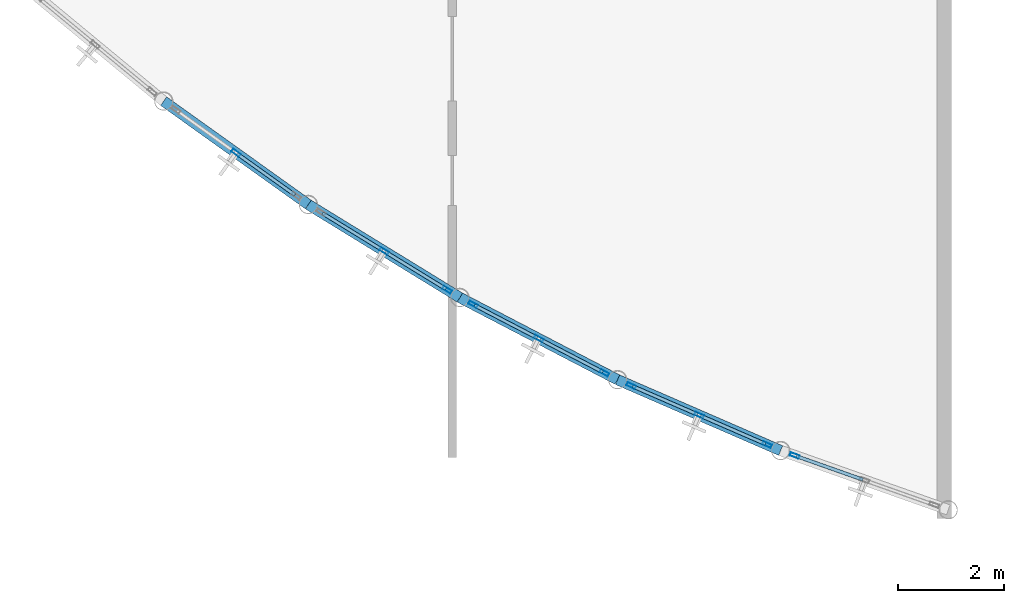
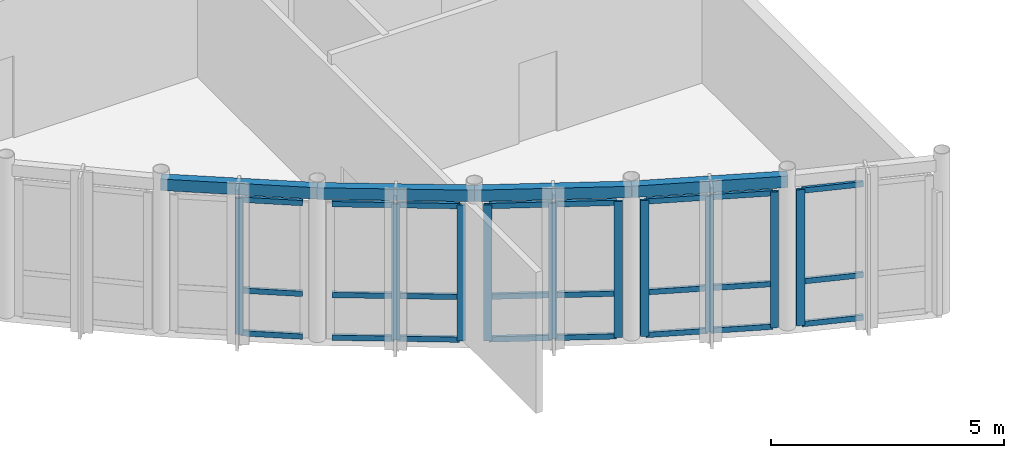
# One storey, part 8 of 32: 34 members, 4 beams, 5 elements without a shape of their own.
"""IFC4 building model written with IfcOpenShell, lengths in metres."""

from ifc_helpers import new_model, si_unit, direction, frame, origin, origin_2d, place, context, subcontext, project, spatial, hollow_rectangle, extrude, material, layer, layer_set, material_profile, profile_set, type_object, element, aggregate, save


model = new_model("IFC4")

# Units and contexts
model_context = context("Model", 3, precision=1e-05, world=origin(), true_north=direction((0.0, 1.0)))
body_context = subcontext(model_context, "Body", "Model", "MODEL_VIEW")
ifc_project = project(units=[si_unit("LENGTHUNIT", "METRE"), si_unit("AREAUNIT", "SQUARE_METRE"), si_unit("VOLUMEUNIT", "CUBIC_METRE"), si_unit("PLANEANGLEUNIT", "RADIAN"), si_unit("MASSUNIT", "GRAM", prefix="KILO")], contexts=[model_context])

# Site, building, storey
site_placement = place(None, origin())
site = spatial("IfcSite", under=ifc_project, at=site_placement, CompositionType="ELEMENT")
building_placement = place(site_placement, origin())
building = spatial("IfcBuilding", under=site, at=building_placement, Name="Selat Folded Stagehouse", CompositionType="ELEMENT")
storey_placement = place(building_placement, frame((0.0, 0.0, 19.199951171875)))
storey = spatial("IfcBuildingStorey", under=building, at=storey_placement, Name="L04", CompositionType="ELEMENT", Elevation=19.199951171875)

# Curtain wall, member
ifc_material_1 = material(Name="Aluminium 6063-T6", Category="aluminium")
ifc_layer = layer(ifc_material_1, 0.18505859375)
ifc_layer_set = layer_set([ifc_layer], Name="Aluminium 6063-T6")
curtain_wall_type = type_object("IfcCurtainWallType", Name="CW-DRM-UPPER", PredefinedType="NOTDEFINED", material=ifc_layer_set)
curtain_wall_1_placement = place(storey_placement, origin())
curtain_wall_1 = element("IfcCurtainWall", 1, at=curtain_wall_1_placement, inside=storey, type_object=curtain_wall_type, Name="L04 curtain wall CW-DRM-L04-15", PredefinedType="NOTDEFINED")
ifc_material_profile_1 = material_profile(ifc_material_1, hollow_rectangle(XDim=0.06494140625, YDim=0.179931640625, WallThickness=0.00390625, at=origin_2d()), Name="ALU 180x65x4.0")
ifc_profile_set_1 = profile_set([ifc_material_profile_1], Name="Aluminium 6063-T6")
member_type_1 = type_object("IfcMemberType", Name="CWM-MUL-180x65", PredefinedType="MULLION", material=ifc_profile_set_1)
member_1_placement = place(storey_placement, frame((20.10400390625, 8.974609375, 0.0), z_axis=(0.0, 0.0, 1.0), x_axis=(-0.581528304836, -0.813526170861, 0.0)))
member_1 = element("IfcMember", 2, at=member_1_placement, type_object=member_type_1, Name="CW-03 mullion 2", PredefinedType="MULLION", context=body_context, shape_type="SweptSolid", body=[
    extrude(hollow_rectangle(XDim=0.06494140625, YDim=0.179931640625, WallThickness=0.00390625, at=origin_2d()), origin(), (0.0, 0.0, 1.0), 3.56005859375),
])

# Curtain wall, members
curtain_wall_2_placement = place(storey_placement, origin())
curtain_wall_2 = element("IfcCurtainWall", 3, at=curtain_wall_2_placement, inside=storey, type_object=curtain_wall_type, Name="L04 curtain wall CW-DRM-L04-16", PredefinedType="NOTDEFINED")
member_2_placement = place(storey_placement, frame((24.10498046875, 6.380859375, 0.0), z_axis=(0.0, 0.0, 1.0), x_axis=(-0.523025427755, -0.852317078277, 0.0)))
member_2 = element("IfcMember", 4, at=member_2_placement, type_object=member_type_1, Name="CW-03 mullion 1", PredefinedType="MULLION", context=body_context, shape_type="SweptSolid", body=[
    extrude(hollow_rectangle(XDim=0.06494140625, YDim=0.179931640625, WallThickness=0.00390625, at=origin_2d()), origin(), (0.0, 0.0, 1.0), 3.56005859375),
])
member_3_placement = place(storey_placement, frame((22.91015625, 7.114013671875, 0.0), z_axis=(0.0, 0.0, 1.0), x_axis=(-0.523025427755, -0.852317078277, 0.0)))
member_3 = element("IfcMember", 5, at=member_3_placement, type_object=member_type_1, Name="CW-03 mullion 2", PredefinedType="MULLION", context=body_context, shape_type="SweptSolid", body=[
    extrude(hollow_rectangle(XDim=0.06494140625, YDim=0.179931640625, WallThickness=0.00390625, at=origin_2d()), origin(), (0.0, 0.0, 1.0), 3.56005859375),
])

curtain_wall_3_placement = place(storey_placement, origin())
curtain_wall_3 = element("IfcCurtainWall", 6, at=curtain_wall_3_placement, inside=storey, type_object=curtain_wall_type, Name="L04 curtain wall CW-DRM-L04-17", PredefinedType="NOTDEFINED")
member_4_placement = place(storey_placement, frame((27.083251953125, 4.80712890625, 0.0), z_axis=(0.0, 0.0, 1.0), x_axis=(-0.461930991659, -0.886915869147, 0.0)))
member_4 = element("IfcMember", 7, at=member_4_placement, type_object=member_type_1, Name="CW-03 mullion 1", PredefinedType="MULLION", context=body_context, shape_type="SweptSolid", body=[
    extrude(hollow_rectangle(XDim=0.06494140625, YDim=0.179931640625, WallThickness=0.00390625, at=origin_2d()), origin(), (0.0, 0.0, 1.0), 3.56005859375),
])
member_5_placement = place(storey_placement, frame((25.83984375, 5.454833984375, 0.0), z_axis=(0.0, 0.0, 1.0), x_axis=(-0.461930991659, -0.886915869147, 0.0)))
member_5 = element("IfcMember", 8, at=member_5_placement, type_object=member_type_1, Name="CW-03 mullion 2", PredefinedType="MULLION", context=body_context, shape_type="SweptSolid", body=[
    extrude(hollow_rectangle(XDim=0.06494140625, YDim=0.179931640625, WallThickness=0.00390625, at=origin_2d()), origin(), (0.0, 0.0, 1.0), 3.56005859375),
])
member_6_placement = place(storey_placement, frame((24.596435546875, 6.1025390625, 0.0), z_axis=(0.0, 0.0, 1.0), x_axis=(-0.461930991659, -0.886915869147, 0.0)))
member_6 = element("IfcMember", 9, at=member_6_placement, type_object=member_type_1, Name="CW-03 mullion 3", PredefinedType="MULLION", context=body_context, shape_type="SweptSolid", body=[
    extrude(hollow_rectangle(XDim=0.06494140625, YDim=0.179931640625, WallThickness=0.00390625, at=origin_2d()), origin(), (0.0, 0.0, 1.0), 3.56005859375),
])

curtain_wall_4_placement = place(storey_placement, origin())
curtain_wall_4 = element("IfcCurtainWall", 10, at=curtain_wall_4_placement, inside=storey, type_object=curtain_wall_type, Name="L04 curtain wall CW-DRM-L04-18", PredefinedType="NOTDEFINED")
member_7_placement = place(storey_placement, frame((30.16455078125, 3.446533203125, 0.0), z_axis=(0.0, 0.0, 1.0), x_axis=(-0.39857953336, -0.917133771915, 0.0)))
member_7 = element("IfcMember", 11, at=member_7_placement, type_object=member_type_1, Name="CW-03 mullion 1", PredefinedType="MULLION", context=body_context, shape_type="SweptSolid", body=[
    extrude(hollow_rectangle(XDim=0.06494140625, YDim=0.179931640625, WallThickness=0.00390625, at=origin_2d()), origin(), (0.0, 0.0, 1.0), 3.56005859375),
])
member_8_placement = place(storey_placement, frame((28.878662109375, 4.00537109375, 0.0), z_axis=(0.0, 0.0, 1.0), x_axis=(-0.39857953336, -0.917133771915, 0.0)))
member_8 = element("IfcMember", 12, at=member_8_placement, type_object=member_type_1, Name="CW-03 mullion 2", PredefinedType="MULLION", context=body_context, shape_type="SweptSolid", body=[
    extrude(hollow_rectangle(XDim=0.06494140625, YDim=0.179931640625, WallThickness=0.00390625, at=origin_2d()), origin(), (0.0, 0.0, 1.0), 3.56005859375),
])
member_9_placement = place(storey_placement, frame((27.593017578125, 4.56396484375, 0.0), z_axis=(0.0, 0.0, 1.0), x_axis=(-0.39857953336, -0.917133771915, 0.0)))
member_9 = element("IfcMember", 13, at=member_9_placement, type_object=member_type_1, Name="CW-03 mullion 3", PredefinedType="MULLION", context=body_context, shape_type="SweptSolid", body=[
    extrude(hollow_rectangle(XDim=0.06494140625, YDim=0.179931640625, WallThickness=0.00390625, at=origin_2d()), origin(), (0.0, 0.0, 1.0), 3.56005859375),
])

# Curtain wall, member
curtain_wall_5_placement = place(storey_placement, origin())
curtain_wall_5 = element("IfcCurtainWall", 14, at=curtain_wall_5_placement, inside=storey, type_object=curtain_wall_type, Name="L04 curtain wall CW-DRM-L04-19", PredefinedType="NOTDEFINED")
member_10_placement = place(storey_placement, frame((30.68994140625, 3.23974609375, 0.0), z_axis=(0.0, 0.0, 1.0), x_axis=(-0.333314148838, -0.942815824106, 0.0)))
member_10 = element("IfcMember", 15, at=member_10_placement, type_object=member_type_1, Name="CW-03 mullion 3", PredefinedType="MULLION", context=body_context, shape_type="SweptSolid", body=[
    extrude(hollow_rectangle(XDim=0.06494140625, YDim=0.179931640625, WallThickness=0.00390625, at=origin_2d()), origin(), (0.0, 0.0, 1.0), 3.56005859375),
])

# Member
ifc_material_profile_2 = material_profile(ifc_material_1, hollow_rectangle(XDim=0.06494140625, YDim=0.139892578125, WallThickness=0.00390625, at=origin_2d()), Name="ALU 140x65x4.0")
ifc_profile_set_2 = profile_set([ifc_material_profile_2], Name="Aluminium 6063-T6")
member_type_2 = type_object("IfcMemberType", Name="CWM-TRN-140x65", PredefinedType="USERDEFINED", material=ifc_profile_set_2)
member_11_placement = place(storey_placement, frame((21.218017578125, 8.17822265625, 0.032470703125), z_axis=(-0.813486640015, 0.581583602345, 0.0), x_axis=(-0.581583602345, -0.813486640015, 0.0)))
member_11 = element("IfcMember", 16, at=member_11_placement, type_object=member_type_2, Name="CW-03 transom 1.1", ObjectType="TRANSOM", PredefinedType="USERDEFINED", context=body_context, shape_type="SweptSolid", body=[
    extrude(hollow_rectangle(XDim=0.06494140625, YDim=0.139892578125, WallThickness=0.00390625, at=origin_2d()), origin(), (0.0, 0.0, 1.0), 1.3369140625),
])

member_12_placement = place(storey_placement, frame((21.218017578125, 8.17822265625, 1.150146484375), z_axis=(-0.813486640015, 0.581583602345, 0.0), x_axis=(-0.581583602345, -0.813486640015, 0.0)))
member_12 = element("IfcMember", 17, at=member_12_placement, type_object=member_type_2, Name="CW-03 transom 1.2", ObjectType="TRANSOM", PredefinedType="USERDEFINED", context=body_context, shape_type="SweptSolid", body=[
    extrude(hollow_rectangle(XDim=0.06494140625, YDim=0.139892578125, WallThickness=0.00390625, at=origin_2d()), origin(), (0.0, 0.0, 1.0), 1.3369140625),
])

member_13_placement = place(storey_placement, frame((21.218017578125, 8.17822265625, 3.527587890625), z_axis=(-0.813486640015, 0.581583602345, 0.0), x_axis=(-0.581583602345, -0.813486640015, 0.0)))
member_13 = element("IfcMember", 18, at=member_13_placement, type_object=member_type_2, Name="CW-03 transom 1.3", ObjectType="TRANSOM", PredefinedType="USERDEFINED", context=body_context, shape_type="SweptSolid", body=[
    extrude(hollow_rectangle(XDim=0.06494140625, YDim=0.139892578125, WallThickness=0.00390625, at=origin_2d()), origin(), (0.0, 0.0, 1.0), 1.3369140625),
])

aggregate(curtain_wall_1, [member_1, member_11, member_12, member_13])

member_14_placement = place(storey_placement, frame((24.077392578125, 6.397705078125, 0.032470703125), z_axis=(-0.852278331158, 0.523088564432, 0.0), x_axis=(-0.523088564432, -0.852278331158, 0.0)))
member_14 = element("IfcMember", 19, at=member_14_placement, type_object=member_type_2, Name="CW-03 transom 1.1", ObjectType="TRANSOM", PredefinedType="USERDEFINED", context=body_context, shape_type="SweptSolid", body=[
    extrude(hollow_rectangle(XDim=0.06494140625, YDim=0.139892578125, WallThickness=0.00390625, at=origin_2d()), origin(), (0.0, 0.0, 1.0), 1.337158203125),
])

member_15_placement = place(storey_placement, frame((24.077392578125, 6.397705078125, 1.150146484375), z_axis=(-0.852278331158, 0.523088564432, 0.0), x_axis=(-0.523088564432, -0.852278331158, 0.0)))
member_15 = element("IfcMember", 20, at=member_15_placement, type_object=member_type_2, Name="CW-03 transom 1.2", ObjectType="TRANSOM", PredefinedType="USERDEFINED", context=body_context, shape_type="SweptSolid", body=[
    extrude(hollow_rectangle(XDim=0.06494140625, YDim=0.139892578125, WallThickness=0.00390625, at=origin_2d()), origin(), (0.0, 0.0, 1.0), 1.337158203125),
])

member_16_placement = place(storey_placement, frame((24.077392578125, 6.397705078125, 3.527587890625), z_axis=(-0.852278331158, 0.523088564432, 0.0), x_axis=(-0.523088564432, -0.852278331158, 0.0)))
member_16 = element("IfcMember", 21, at=member_16_placement, type_object=member_type_2, Name="CW-03 transom 1.3", ObjectType="TRANSOM", PredefinedType="USERDEFINED", context=body_context, shape_type="SweptSolid", body=[
    extrude(hollow_rectangle(XDim=0.06494140625, YDim=0.139892578125, WallThickness=0.00390625, at=origin_2d()), origin(), (0.0, 0.0, 1.0), 1.337158203125),
])

member_17_placement = place(storey_placement, frame((22.88232421875, 7.131103515625, 0.032470703125), z_axis=(-0.852309776762, 0.523037326044, 0.0), x_axis=(-0.523037326044, -0.852309776762, 0.0)))
member_17 = element("IfcMember", 22, at=member_17_placement, type_object=member_type_2, Name="CW-03 transom 2.1", ObjectType="TRANSOM", PredefinedType="USERDEFINED", context=body_context, shape_type="SweptSolid", body=[
    extrude(hollow_rectangle(XDim=0.06494140625, YDim=0.139892578125, WallThickness=0.00390625, at=origin_2d()), origin(), (0.0, 0.0, 1.0), 1.3369140625),
])

member_18_placement = place(storey_placement, frame((22.88232421875, 7.131103515625, 1.150146484375), z_axis=(-0.852309776762, 0.523037326044, 0.0), x_axis=(-0.523037326044, -0.852309776762, 0.0)))
member_18 = element("IfcMember", 23, at=member_18_placement, type_object=member_type_2, Name="CW-03 transom 2.2", ObjectType="TRANSOM", PredefinedType="USERDEFINED", context=body_context, shape_type="SweptSolid", body=[
    extrude(hollow_rectangle(XDim=0.06494140625, YDim=0.139892578125, WallThickness=0.00390625, at=origin_2d()), origin(), (0.0, 0.0, 1.0), 1.3369140625),
])

member_19_placement = place(storey_placement, frame((22.88232421875, 7.131103515625, 3.527587890625), z_axis=(-0.852309776762, 0.523037326044, 0.0), x_axis=(-0.523037326044, -0.852309776762, 0.0)))
member_19 = element("IfcMember", 24, at=member_19_placement, type_object=member_type_2, Name="CW-03 transom 2.3", ObjectType="TRANSOM", PredefinedType="USERDEFINED", context=body_context, shape_type="SweptSolid", body=[
    extrude(hollow_rectangle(XDim=0.06494140625, YDim=0.139892578125, WallThickness=0.00390625, at=origin_2d()), origin(), (0.0, 0.0, 1.0), 1.3369140625),
])

aggregate(curtain_wall_2, [member_2, member_3, member_14, member_15, member_16, member_17, member_18, member_19])

member_20_placement = place(storey_placement, frame((27.054443359375, 4.822265625, 0.032470703125), z_axis=(-0.886890704679, 0.461979304681, 0.0), x_axis=(-0.461979304681, -0.886890704679, 0.0)))
member_20 = element("IfcMember", 25, at=member_20_placement, type_object=member_type_2, Name="CW-03 transom 1.1", ObjectType="TRANSOM", PredefinedType="USERDEFINED", context=body_context, shape_type="SweptSolid", body=[
    extrude(hollow_rectangle(XDim=0.06494140625, YDim=0.139892578125, WallThickness=0.00390625, at=origin_2d()), origin(), (0.0, 0.0, 1.0), 1.3369140625),
])

member_21_placement = place(storey_placement, frame((27.054443359375, 4.822265625, 1.150146484375), z_axis=(-0.886890704679, 0.461979304681, 0.0), x_axis=(-0.461979304681, -0.886890704679, 0.0)))
member_21 = element("IfcMember", 26, at=member_21_placement, type_object=member_type_2, Name="CW-03 transom 1.2", ObjectType="TRANSOM", PredefinedType="USERDEFINED", context=body_context, shape_type="SweptSolid", body=[
    extrude(hollow_rectangle(XDim=0.06494140625, YDim=0.139892578125, WallThickness=0.00390625, at=origin_2d()), origin(), (0.0, 0.0, 1.0), 1.3369140625),
])

member_22_placement = place(storey_placement, frame((27.054443359375, 4.822265625, 3.527587890625), z_axis=(-0.886890704679, 0.461979304681, 0.0), x_axis=(-0.461979304681, -0.886890704679, 0.0)))
member_22 = element("IfcMember", 27, at=member_22_placement, type_object=member_type_2, Name="CW-03 transom 1.3", ObjectType="TRANSOM", PredefinedType="USERDEFINED", context=body_context, shape_type="SweptSolid", body=[
    extrude(hollow_rectangle(XDim=0.06494140625, YDim=0.139892578125, WallThickness=0.00390625, at=origin_2d()), origin(), (0.0, 0.0, 1.0), 1.3369140625),
])

member_23_placement = place(storey_placement, frame((25.81103515625, 5.469970703125, 0.032470703125), z_axis=(-0.886965515382, 0.461835657484, 0.0), x_axis=(-0.461835657484, -0.886965515382, 0.0)))
member_23 = element("IfcMember", 28, at=member_23_placement, type_object=member_type_2, Name="CW-03 transom 2.1", ObjectType="TRANSOM", PredefinedType="USERDEFINED", context=body_context, shape_type="SweptSolid", body=[
    extrude(hollow_rectangle(XDim=0.06494140625, YDim=0.139892578125, WallThickness=0.00390625, at=origin_2d()), origin(), (0.0, 0.0, 1.0), 1.3369140625),
])

member_24_placement = place(storey_placement, frame((25.81103515625, 5.469970703125, 1.150146484375), z_axis=(-0.886965515382, 0.461835657484, 0.0), x_axis=(-0.461835657484, -0.886965515382, 0.0)))
member_24 = element("IfcMember", 29, at=member_24_placement, type_object=member_type_2, Name="CW-03 transom 2.2", ObjectType="TRANSOM", PredefinedType="USERDEFINED", context=body_context, shape_type="SweptSolid", body=[
    extrude(hollow_rectangle(XDim=0.06494140625, YDim=0.139892578125, WallThickness=0.00390625, at=origin_2d()), origin(), (0.0, 0.0, 1.0), 1.3369140625),
])

member_25_placement = place(storey_placement, frame((25.81103515625, 5.469970703125, 3.527587890625), z_axis=(-0.886965515382, 0.461835657484, 0.0), x_axis=(-0.461835657484, -0.886965515382, 0.0)))
member_25 = element("IfcMember", 30, at=member_25_placement, type_object=member_type_2, Name="CW-03 transom 2.3", ObjectType="TRANSOM", PredefinedType="USERDEFINED", context=body_context, shape_type="SweptSolid", body=[
    extrude(hollow_rectangle(XDim=0.06494140625, YDim=0.139892578125, WallThickness=0.00390625, at=origin_2d()), origin(), (0.0, 0.0, 1.0), 1.3369140625),
])

aggregate(curtain_wall_3, [member_4, member_5, member_6, member_20, member_21, member_22, member_23, member_24, member_25])

member_26_placement = place(storey_placement, frame((30.134765625, 3.45947265625, 0.032470703125), z_axis=(-0.917197741819, 0.398432305922, 0.0), x_axis=(-0.398432305922, -0.917197741819, 0.0)))
member_26 = element("IfcMember", 31, at=member_26_placement, type_object=member_type_2, Name="CW-03 transom 1.1", ObjectType="TRANSOM", PredefinedType="USERDEFINED", context=body_context, shape_type="SweptSolid", body=[
    extrude(hollow_rectangle(XDim=0.06494140625, YDim=0.139892578125, WallThickness=0.00390625, at=origin_2d()), origin(), (0.0, 0.0, 1.0), 1.3369140625),
])

member_27_placement = place(storey_placement, frame((30.134765625, 3.45947265625, 1.150146484375), z_axis=(-0.917197741819, 0.398432305922, 0.0), x_axis=(-0.398432305922, -0.917197741819, 0.0)))
member_27 = element("IfcMember", 32, at=member_27_placement, type_object=member_type_2, Name="CW-03 transom 1.2", ObjectType="TRANSOM", PredefinedType="USERDEFINED", context=body_context, shape_type="SweptSolid", body=[
    extrude(hollow_rectangle(XDim=0.06494140625, YDim=0.139892578125, WallThickness=0.00390625, at=origin_2d()), origin(), (0.0, 0.0, 1.0), 1.3369140625),
])

member_28_placement = place(storey_placement, frame((30.134765625, 3.45947265625, 3.527587890625), z_axis=(-0.917197741819, 0.398432305922, 0.0), x_axis=(-0.398432305922, -0.917197741819, 0.0)))
member_28 = element("IfcMember", 33, at=member_28_placement, type_object=member_type_2, Name="CW-03 transom 1.3", ObjectType="TRANSOM", PredefinedType="USERDEFINED", context=body_context, shape_type="SweptSolid", body=[
    extrude(hollow_rectangle(XDim=0.06494140625, YDim=0.139892578125, WallThickness=0.00390625, at=origin_2d()), origin(), (0.0, 0.0, 1.0), 1.3369140625),
])

member_29_placement = place(storey_placement, frame((28.848876953125, 4.018310546875, 0.032470703125), z_axis=(-0.91716874716, 0.398499045461, 0.0), x_axis=(-0.398499045461, -0.91716874716, 0.0)))
member_29 = element("IfcMember", 34, at=member_29_placement, type_object=member_type_2, Name="CW-03 transom 2.1", ObjectType="TRANSOM", PredefinedType="USERDEFINED", context=body_context, shape_type="SweptSolid", body=[
    extrude(hollow_rectangle(XDim=0.06494140625, YDim=0.139892578125, WallThickness=0.00390625, at=origin_2d()), origin(), (0.0, 0.0, 1.0), 1.3369140625),
])

member_30_placement = place(storey_placement, frame((28.848876953125, 4.018310546875, 1.150146484375), z_axis=(-0.91716874716, 0.398499045461, 0.0), x_axis=(-0.398499045461, -0.91716874716, 0.0)))
member_30 = element("IfcMember", 35, at=member_30_placement, type_object=member_type_2, Name="CW-03 transom 2.2", ObjectType="TRANSOM", PredefinedType="USERDEFINED", context=body_context, shape_type="SweptSolid", body=[
    extrude(hollow_rectangle(XDim=0.06494140625, YDim=0.139892578125, WallThickness=0.00390625, at=origin_2d()), origin(), (0.0, 0.0, 1.0), 1.3369140625),
])

member_31_placement = place(storey_placement, frame((28.848876953125, 4.018310546875, 3.527587890625), z_axis=(-0.91716874716, 0.398499045461, 0.0), x_axis=(-0.398499045461, -0.91716874716, 0.0)))
member_31 = element("IfcMember", 36, at=member_31_placement, type_object=member_type_2, Name="CW-03 transom 2.3", ObjectType="TRANSOM", PredefinedType="USERDEFINED", context=body_context, shape_type="SweptSolid", body=[
    extrude(hollow_rectangle(XDim=0.06494140625, YDim=0.139892578125, WallThickness=0.00390625, at=origin_2d()), origin(), (0.0, 0.0, 1.0), 1.3369140625),
])

aggregate(curtain_wall_4, [member_7, member_8, member_9, member_26, member_27, member_28, member_29, member_30, member_31])

member_32_placement = place(storey_placement, frame((31.981201171875, 2.783203125, 0.032470703125), z_axis=(-0.942831774674, 0.333269027461, 0.0), x_axis=(-0.333269027461, -0.942831774674, 0.0)))
member_32 = element("IfcMember", 37, at=member_32_placement, type_object=member_type_2, Name="CW-03 transom 2.1", ObjectType="TRANSOM", PredefinedType="USERDEFINED", context=body_context, shape_type="SweptSolid", body=[
    extrude(hollow_rectangle(XDim=0.06494140625, YDim=0.139892578125, WallThickness=0.00390625, at=origin_2d()), origin(), (0.0, 0.0, 1.0), 1.3369140625),
])

member_33_placement = place(storey_placement, frame((31.981201171875, 2.783203125, 1.150146484375), z_axis=(-0.942831774674, 0.333269027461, 0.0), x_axis=(-0.333269027461, -0.942831774674, 0.0)))
member_33 = element("IfcMember", 38, at=member_33_placement, type_object=member_type_2, Name="CW-03 transom 2.2", ObjectType="TRANSOM", PredefinedType="USERDEFINED", context=body_context, shape_type="SweptSolid", body=[
    extrude(hollow_rectangle(XDim=0.06494140625, YDim=0.139892578125, WallThickness=0.00390625, at=origin_2d()), origin(), (0.0, 0.0, 1.0), 1.3369140625),
])

member_34_placement = place(storey_placement, frame((31.981201171875, 2.783203125, 3.527587890625), z_axis=(-0.942831774674, 0.333269027461, 0.0), x_axis=(-0.333269027461, -0.942831774674, 0.0)))
member_34 = element("IfcMember", 39, at=member_34_placement, type_object=member_type_2, Name="CW-03 transom 2.3", ObjectType="TRANSOM", PredefinedType="USERDEFINED", context=body_context, shape_type="SweptSolid", body=[
    extrude(hollow_rectangle(XDim=0.06494140625, YDim=0.139892578125, WallThickness=0.00390625, at=origin_2d()), origin(), (0.0, 0.0, 1.0), 1.3369140625),
])

aggregate(curtain_wall_5, [member_10, member_32, member_33, member_34])

# Beams
ifc_material_2 = material(Name="Steel S355", Category="steel")
ifc_material_profile_3 = material_profile(ifc_material_2, hollow_rectangle(XDim=0.199951171875, YDim=0.300048828125, WallThickness=0.012451171875, at=origin_2d()), Name="RHS 300x200x12.5")
ifc_profile_set_3 = profile_set([ifc_material_profile_3], Name="Steel S355")
beam_type = type_object("IfcBeamType", Name="SPD-RHS-300x200", PredefinedType="SPANDREL", material=ifc_profile_set_3)
for number, where, z_axis, x_axis, name in (
    (40, (18.733642578125, 9.954345703125, 3.85009765625), (0.813513074284, -0.581546625791, 0.0), (0.581546625791, 0.813513074284, 0.0), "L04 curved drum spandrel beam 16"),
    (41, (21.474365234375, 7.9951171875, 3.85009765625), (0.852289688317, -0.523070059542, 0.0), (0.523070059542, 0.852289688317, 0.0), "L04 curved drum spandrel beam 17"),
    (42, (24.345703125, 6.23291015625, 3.85009765625), (0.886928310017, -0.461907104179, 0.0), (0.461907104179, 0.886928310017, 0.0), "L04 curved drum spandrel beam 18"),
):
    element("IfcBeam", number, at=place(storey_placement, frame(where, z_axis=z_axis, x_axis=x_axis)), inside=storey, type_object=beam_type, Name=name, PredefinedType="SPANDREL", context=body_context, shape_type="SweptSolid", body=[
        extrude(hollow_rectangle(XDim=0.199951171875, YDim=0.300048828125, WallThickness=0.012451171875, at=origin_2d()), origin(), (0.0, 0.0, 1.0), 3.368896484375),
    ])
beam_placement = place(storey_placement, frame((27.333740234375, 4.6767578125, 3.85009765625), z_axis=(0.91711267728, -0.39862806872, 0.0), x_axis=(0.39862806872, 0.91711267728, 0.0)))
element("IfcBeam", 43, at=beam_placement, inside=storey, type_object=beam_type, Name="L04 curved drum spandrel beam 19", PredefinedType="SPANDREL", context=body_context, shape_type="SweptSolid", body=[
    extrude(hollow_rectangle(XDim=0.199951171875, YDim=0.300048828125, WallThickness=0.012451171875, at=origin_2d()), origin(), (0.0, 0.0, 1.0), 3.369140625),
])

save(model, "model.ifc")
